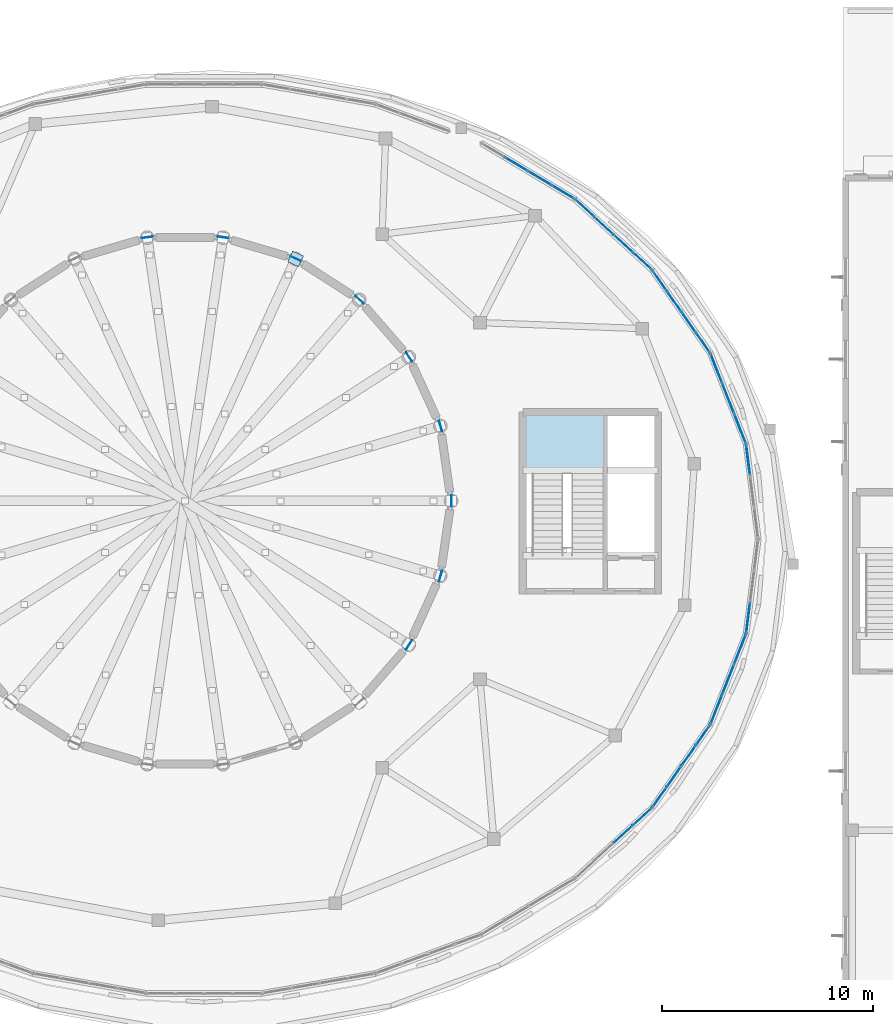
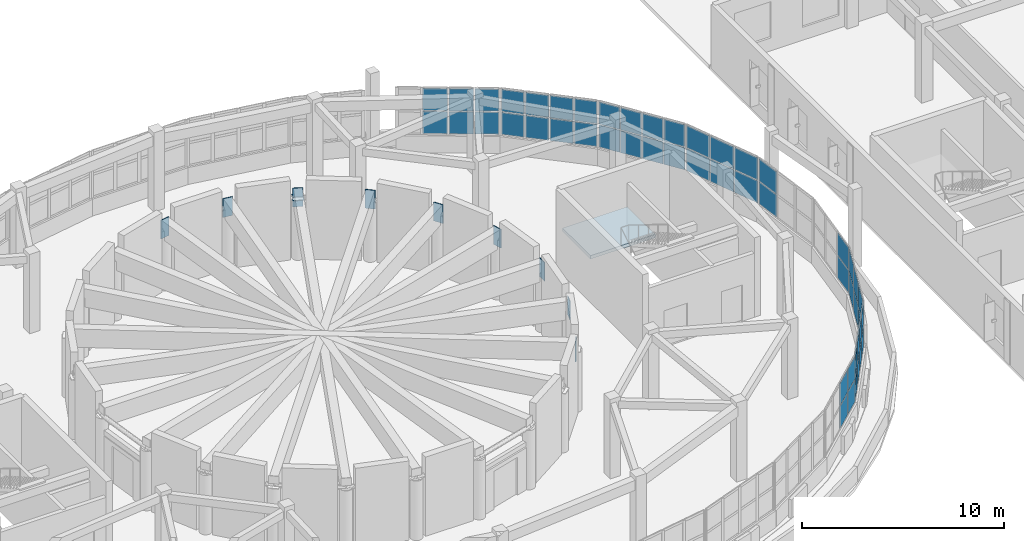
# One storey, part 48 of 69: 60 plates, 1 slab, 10 elements without a shape of their own.
"""IFC4 building model written with IfcOpenShell, lengths in metres."""

from ifc_helpers import new_model, si_unit, direction, frame, origin, origin_2d, place, context, subcontext, project, spatial, polyline, rectangle, outline, extrude, material, layer, layer_set, type_object, element, aggregate, save


model = new_model("IFC4")

# Units and contexts
model_context = context("Model", 3, precision=1e-05, world=origin(), true_north=direction((0.0, 1.0)))
body_context = subcontext(model_context, "Body", "Model", "MODEL_VIEW")
ifc_project = project(units=[si_unit("LENGTHUNIT", "METRE"), si_unit("AREAUNIT", "SQUARE_METRE"), si_unit("VOLUMEUNIT", "CUBIC_METRE"), si_unit("PLANEANGLEUNIT", "RADIAN"), si_unit("MASSUNIT", "GRAM", prefix="KILO")], contexts=[model_context])

# Site, building, storey
site_placement = place(None, origin())
site = spatial("IfcSite", under=ifc_project, at=site_placement, CompositionType="ELEMENT")
building_placement = place(site_placement, origin())
building = spatial("IfcBuilding", under=site, at=building_placement, Name="Pelvatis Terrace Science Centre", CompositionType="ELEMENT")
storey_placement = place(building_placement, frame((0.0, 0.0, 15.0)))
storey = spatial("IfcBuildingStorey", under=building, at=storey_placement, Name="L03", CompositionType="ELEMENT", Elevation=15.0)

# Curtain wall, plates
ifc_material_1 = material(Name="Bronze-anodised aluminium and laminated glass", Category="aluminium")
ifc_layer_1 = layer(ifc_material_1, 0.179931640625)
ifc_layer_set_1 = layer_set([ifc_layer_1], Name="Bronze-anodised aluminium and laminated glass")
curtain_wall_type = type_object("IfcCurtainWallType", Name="CW-RIBBON-A", PredefinedType="NOTDEFINED", material=ifc_layer_set_1)
curtain_wall_1_placement = place(storey_placement, origin())
curtain_wall_1 = element("IfcCurtainWall", 1, at=curtain_wall_1_placement, inside=storey, type_object=curtain_wall_type, Name="Ribbon curtain wall CW-183 (L03)", PredefinedType="NOTDEFINED")
ifc_material_2 = material(Name="Low-e laminated solar-control double glazing", Category="glass")
ifc_layer_2 = layer(ifc_material_2, 0.035888671875)
ifc_layer_set_2 = layer_set([ifc_layer_2], Name="Low-e laminated solar-control double glazing")
plate_type_1 = type_object("IfcPlateType", Name="CWP-IGU-36", PredefinedType="CURTAIN_PANEL", material=ifc_layer_set_2)
plate_1_placement = place(storey_placement, frame((135.873779296875, 87.736083984375, 1.080078125), z_axis=(0.0, 0.0, 1.0), x_axis=(-0.126407659563, 0.991978378597, 0.0)))
plate_1 = element("IfcPlate", 2, at=plate_1_placement, type_object=plate_type_1, Name="CW-183 panel 3.1", PredefinedType="CURTAIN_PANEL", context=body_context, shape_type="SweptSolid", body=[
    extrude(rectangle(XDim=1.422607421875, YDim=0.035888671875, at=origin_2d()), origin(), (0.0, 0.0, 1.0), 1.3349609375),
])
plate_2_placement = place(storey_placement, frame((135.873779296875, 87.736083984375, 2.47509765625), z_axis=(0.0, 0.0, 1.0), x_axis=(-0.126407659563, 0.991978378597, 0.0)))
plate_2 = element("IfcPlate", 3, at=plate_2_placement, type_object=plate_type_1, Name="CW-183 panel 3.2", PredefinedType="CURTAIN_PANEL", context=body_context, shape_type="SweptSolid", body=[
    extrude(rectangle(XDim=1.422607421875, YDim=0.035888671875, at=origin_2d()), origin(), (0.0, 0.0, 1.0), 1.3349609375),
])
aggregate(curtain_wall_1, [plate_1, plate_2])

curtain_wall_2_placement = place(storey_placement, origin())
curtain_wall_2 = element("IfcCurtainWall", 4, at=curtain_wall_2_placement, inside=storey, type_object=curtain_wall_type, Name="Ribbon curtain wall CW-184 (L03)", PredefinedType="NOTDEFINED")
plate_3_placement = place(storey_placement, frame((135.48828125, 89.232666015625, 1.080078125), z_axis=(0.0, 0.0, 1.0), x_axis=(-0.366540961248, 0.930401915157, 0.0)))
plate_3 = element("IfcPlate", 5, at=plate_3_placement, type_object=plate_type_1, Name="CW-184 panel 1.1", PredefinedType="CURTAIN_PANEL", context=body_context, shape_type="SweptSolid", body=[
    extrude(rectangle(XDim=1.4521484375, YDim=0.035888671875, at=origin_2d()), origin(), (0.0, 0.0, 1.0), 1.3349609375),
])
plate_4_placement = place(storey_placement, frame((135.48828125, 89.232666015625, 2.47509765625), z_axis=(0.0, 0.0, 1.0), x_axis=(-0.366540961248, 0.930401915157, 0.0)))
plate_4 = element("IfcPlate", 6, at=plate_4_placement, type_object=plate_type_1, Name="CW-184 panel 1.2", PredefinedType="CURTAIN_PANEL", context=body_context, shape_type="SweptSolid", body=[
    extrude(rectangle(XDim=1.4521484375, YDim=0.035888671875, at=origin_2d()), origin(), (0.0, 0.0, 1.0), 1.3349609375),
])
plate_5_placement = place(storey_placement, frame((134.928466796875, 90.653564453125, 1.080078125), z_axis=(0.0, 0.0, 1.0), x_axis=(-0.366540961248, 0.930401915157, 0.0)))
plate_5 = element("IfcPlate", 7, at=plate_5_placement, type_object=plate_type_1, Name="CW-184 panel 2.1", PredefinedType="CURTAIN_PANEL", context=body_context, shape_type="SweptSolid", body=[
    extrude(rectangle(XDim=1.482177734375, YDim=0.035888671875, at=origin_2d()), origin(), (0.0, 0.0, 1.0), 1.3349609375),
])
plate_6_placement = place(storey_placement, frame((134.928466796875, 90.653564453125, 2.47509765625), z_axis=(0.0, 0.0, 1.0), x_axis=(-0.366540961248, 0.930401915157, 0.0)))
plate_6 = element("IfcPlate", 8, at=plate_6_placement, type_object=plate_type_1, Name="CW-184 panel 2.2", PredefinedType="CURTAIN_PANEL", context=body_context, shape_type="SweptSolid", body=[
    extrude(rectangle(XDim=1.482177734375, YDim=0.035888671875, at=origin_2d()), origin(), (0.0, 0.0, 1.0), 1.3349609375),
])
plate_7_placement = place(storey_placement, frame((134.36865234375, 92.074462890625, 1.080078125), z_axis=(0.0, 0.0, 1.0), x_axis=(-0.366540961248, 0.930401915157, 0.0)))
plate_7 = element("IfcPlate", 9, at=plate_7_placement, type_object=plate_type_1, Name="CW-184 panel 3.1", PredefinedType="CURTAIN_PANEL", context=body_context, shape_type="SweptSolid", body=[
    extrude(rectangle(XDim=1.4521484375, YDim=0.035888671875, at=origin_2d()), origin(), (0.0, 0.0, 1.0), 1.3349609375),
])
plate_8_placement = place(storey_placement, frame((134.36865234375, 92.074462890625, 2.47509765625), z_axis=(0.0, 0.0, 1.0), x_axis=(-0.366540961248, 0.930401915157, 0.0)))
plate_8 = element("IfcPlate", 10, at=plate_8_placement, type_object=plate_type_1, Name="CW-184 panel 3.2", PredefinedType="CURTAIN_PANEL", context=body_context, shape_type="SweptSolid", body=[
    extrude(rectangle(XDim=1.4521484375, YDim=0.035888671875, at=origin_2d()), origin(), (0.0, 0.0, 1.0), 1.3349609375),
])
aggregate(curtain_wall_2, [plate_3, plate_4, plate_5, plate_6, plate_7, plate_8])

curtain_wall_3_placement = place(storey_placement, origin())
curtain_wall_3 = element("IfcCurtainWall", 11, at=curtain_wall_3_placement, inside=storey, type_object=curtain_wall_type, Name="Ribbon curtain wall CW-185 (L03)", PredefinedType="NOTDEFINED")
plate_9_placement = place(storey_placement, frame((133.72900390625, 93.30810546875, 1.080078125), z_axis=(0.0, 0.0, 1.0), x_axis=(-0.573467955021, 0.81922799303, 0.0)))
plate_9 = element("IfcPlate", 12, at=plate_9_placement, type_object=plate_type_1, Name="CW-185 panel 1.1", PredefinedType="CURTAIN_PANEL", context=body_context, shape_type="SweptSolid", body=[
    extrude(rectangle(XDim=1.106201171875, YDim=0.035888671875, at=origin_2d()), origin(), (0.0, 0.0, 1.0), 1.3349609375),
])
plate_10_placement = place(storey_placement, frame((133.72900390625, 93.30810546875, 2.47509765625), z_axis=(0.0, 0.0, 1.0), x_axis=(-0.573467955021, 0.81922799303, 0.0)))
plate_10 = element("IfcPlate", 13, at=plate_10_placement, type_object=plate_type_1, Name="CW-185 panel 1.2", PredefinedType="CURTAIN_PANEL", context=body_context, shape_type="SweptSolid", body=[
    extrude(rectangle(XDim=1.106201171875, YDim=0.035888671875, at=origin_2d()), origin(), (0.0, 0.0, 1.0), 1.3349609375),
])
plate_11_placement = place(storey_placement, frame((133.0517578125, 94.275634765625, 1.080078125), z_axis=(0.0, 0.0, 1.0), x_axis=(-0.573467955021, 0.81922799303, 0.0)))
plate_11 = element("IfcPlate", 14, at=plate_11_placement, type_object=plate_type_1, Name="CW-185 panel 2.1", PredefinedType="CURTAIN_PANEL", context=body_context, shape_type="SweptSolid", body=[
    extrude(rectangle(XDim=1.13623046875, YDim=0.035888671875, at=origin_2d()), origin(), (0.0, 0.0, 1.0), 1.3349609375),
])
plate_12_placement = place(storey_placement, frame((133.0517578125, 94.275634765625, 2.47509765625), z_axis=(0.0, 0.0, 1.0), x_axis=(-0.573467955021, 0.81922799303, 0.0)))
plate_12 = element("IfcPlate", 15, at=plate_12_placement, type_object=plate_type_1, Name="CW-185 panel 2.2", PredefinedType="CURTAIN_PANEL", context=body_context, shape_type="SweptSolid", body=[
    extrude(rectangle(XDim=1.13623046875, YDim=0.035888671875, at=origin_2d()), origin(), (0.0, 0.0, 1.0), 1.3349609375),
])
plate_13_placement = place(storey_placement, frame((132.36572265625, 95.255615234375, 1.080078125), z_axis=(0.0, 0.0, 1.0), x_axis=(-0.573467955021, 0.81922799303, 0.0)))
plate_13 = element("IfcPlate", 16, at=plate_13_placement, type_object=plate_type_1, Name="CW-185 panel 3.1", PredefinedType="CURTAIN_PANEL", context=body_context, shape_type="SweptSolid", body=[
    extrude(rectangle(XDim=1.13623046875, YDim=0.035888671875, at=origin_2d()), origin(), (0.0, 0.0, 1.0), 1.3349609375),
])
plate_14_placement = place(storey_placement, frame((132.36572265625, 95.255615234375, 2.47509765625), z_axis=(0.0, 0.0, 1.0), x_axis=(-0.573467955021, 0.81922799303, 0.0)))
plate_14 = element("IfcPlate", 17, at=plate_14_placement, type_object=plate_type_1, Name="CW-185 panel 3.2", PredefinedType="CURTAIN_PANEL", context=body_context, shape_type="SweptSolid", body=[
    extrude(rectangle(XDim=1.13623046875, YDim=0.035888671875, at=origin_2d()), origin(), (0.0, 0.0, 1.0), 1.3349609375),
])
plate_15_placement = place(storey_placement, frame((131.688232421875, 96.223388671875, 1.080078125), z_axis=(0.0, 0.0, 1.0), x_axis=(-0.573467955021, 0.81922799303, 0.0)))
plate_15 = element("IfcPlate", 18, at=plate_15_placement, type_object=plate_type_1, Name="CW-185 panel 4.1", PredefinedType="CURTAIN_PANEL", context=body_context, shape_type="SweptSolid", body=[
    extrude(rectangle(XDim=1.106201171875, YDim=0.035888671875, at=origin_2d()), origin(), (0.0, 0.0, 1.0), 1.3349609375),
])
plate_16_placement = place(storey_placement, frame((131.688232421875, 96.223388671875, 2.47509765625), z_axis=(0.0, 0.0, 1.0), x_axis=(-0.573467955021, 0.81922799303, 0.0)))
plate_16 = element("IfcPlate", 19, at=plate_16_placement, type_object=plate_type_1, Name="CW-185 panel 4.2", PredefinedType="CURTAIN_PANEL", context=body_context, shape_type="SweptSolid", body=[
    extrude(rectangle(XDim=1.106201171875, YDim=0.035888671875, at=origin_2d()), origin(), (0.0, 0.0, 1.0), 1.3349609375),
])
aggregate(curtain_wall_3, [plate_9, plate_10, plate_11, plate_12, plate_13, plate_14, plate_15, plate_16])

curtain_wall_4_placement = place(storey_placement, origin())
curtain_wall_4 = element("IfcCurtainWall", 20, at=curtain_wall_4_placement, inside=storey, type_object=curtain_wall_type, Name="Ribbon curtain wall CW-186 (L03)", PredefinedType="NOTDEFINED")
plate_17_placement = place(storey_placement, frame((130.86669921875, 97.15625, 1.080078125), z_axis=(0.0, 0.0, 1.0), x_axis=(-0.737404165127, 0.675451772708, 0.0)))
plate_17 = element("IfcPlate", 21, at=plate_17_placement, type_object=plate_type_1, Name="CW-186 panel 1.1", PredefinedType="CURTAIN_PANEL", context=body_context, shape_type="SweptSolid", body=[
    extrude(rectangle(XDim=1.155029296875, YDim=0.035888671875, at=origin_2d()), origin(), (0.0, 0.0, 1.0), 1.3349609375),
])
plate_18_placement = place(storey_placement, frame((130.86669921875, 97.15625, 2.47509765625), z_axis=(0.0, 0.0, 1.0), x_axis=(-0.737404165127, 0.675451772708, 0.0)))
plate_18 = element("IfcPlate", 22, at=plate_18_placement, type_object=plate_type_1, Name="CW-186 panel 1.2", PredefinedType="CURTAIN_PANEL", context=body_context, shape_type="SweptSolid", body=[
    extrude(rectangle(XDim=1.155029296875, YDim=0.035888671875, at=origin_2d()), origin(), (0.0, 0.0, 1.0), 1.3349609375),
])
plate_19_placement = place(storey_placement, frame((129.959716796875, 97.98681640625, 1.080078125), z_axis=(0.0, 0.0, 1.0), x_axis=(-0.737404165127, 0.675451772708, 0.0)))
plate_19 = element("IfcPlate", 23, at=plate_19_placement, type_object=plate_type_1, Name="CW-186 panel 2.1", PredefinedType="CURTAIN_PANEL", context=body_context, shape_type="SweptSolid", body=[
    extrude(rectangle(XDim=1.184814453125, YDim=0.035888671875, at=origin_2d()), origin(), (0.0, 0.0, 1.0), 1.3349609375),
])
plate_20_placement = place(storey_placement, frame((129.959716796875, 97.98681640625, 2.47509765625), z_axis=(0.0, 0.0, 1.0), x_axis=(-0.737404165127, 0.675451772708, 0.0)))
plate_20 = element("IfcPlate", 24, at=plate_20_placement, type_object=plate_type_1, Name="CW-186 panel 2.2", PredefinedType="CURTAIN_PANEL", context=body_context, shape_type="SweptSolid", body=[
    extrude(rectangle(XDim=1.184814453125, YDim=0.035888671875, at=origin_2d()), origin(), (0.0, 0.0, 1.0), 1.3349609375),
])
plate_21_placement = place(storey_placement, frame((129.041748046875, 98.827880859375, 1.080078125), z_axis=(0.0, 0.0, 1.0), x_axis=(-0.737404165127, 0.675451772708, 0.0)))
plate_21 = element("IfcPlate", 25, at=plate_21_placement, type_object=plate_type_1, Name="CW-186 panel 3.1", PredefinedType="CURTAIN_PANEL", context=body_context, shape_type="SweptSolid", body=[
    extrude(rectangle(XDim=1.184814453125, YDim=0.035888671875, at=origin_2d()), origin(), (0.0, 0.0, 1.0), 1.3349609375),
])
plate_22_placement = place(storey_placement, frame((129.041748046875, 98.827880859375, 2.47509765625), z_axis=(0.0, 0.0, 1.0), x_axis=(-0.737404165127, 0.675451772708, 0.0)))
plate_22 = element("IfcPlate", 26, at=plate_22_placement, type_object=plate_type_1, Name="CW-186 panel 3.2", PredefinedType="CURTAIN_PANEL", context=body_context, shape_type="SweptSolid", body=[
    extrude(rectangle(XDim=1.184814453125, YDim=0.035888671875, at=origin_2d()), origin(), (0.0, 0.0, 1.0), 1.3349609375),
])
plate_23_placement = place(storey_placement, frame((128.134765625, 99.658447265625, 1.080078125), z_axis=(0.0, 0.0, 1.0), x_axis=(-0.737404165127, 0.675451772708, 0.0)))
plate_23 = element("IfcPlate", 27, at=plate_23_placement, type_object=plate_type_1, Name="CW-186 panel 4.1", PredefinedType="CURTAIN_PANEL", context=body_context, shape_type="SweptSolid", body=[
    extrude(rectangle(XDim=1.155029296875, YDim=0.035888671875, at=origin_2d()), origin(), (0.0, 0.0, 1.0), 1.3349609375),
])
plate_24_placement = place(storey_placement, frame((128.134765625, 99.658447265625, 2.47509765625), z_axis=(0.0, 0.0, 1.0), x_axis=(-0.737404165127, 0.675451772708, 0.0)))
plate_24 = element("IfcPlate", 28, at=plate_24_placement, type_object=plate_type_1, Name="CW-186 panel 4.2", PredefinedType="CURTAIN_PANEL", context=body_context, shape_type="SweptSolid", body=[
    extrude(rectangle(XDim=1.155029296875, YDim=0.035888671875, at=origin_2d()), origin(), (0.0, 0.0, 1.0), 1.3349609375),
])
aggregate(curtain_wall_4, [plate_17, plate_18, plate_19, plate_20, plate_21, plate_22, plate_23, plate_24])

curtain_wall_5_placement = place(storey_placement, origin())
curtain_wall_5 = element("IfcCurtainWall", 29, at=curtain_wall_5_placement, inside=storey, type_object=curtain_wall_type, Name="Ribbon curtain wall CW-187 (L03)", PredefinedType="NOTDEFINED")
plate_25_placement = place(storey_placement, frame((127.096923828125, 100.429443359375, 1.080078125), z_axis=(0.0, 0.0, 1.0), x_axis=(-0.857792823096, 0.51399559594, 0.0)))
plate_25 = element("IfcPlate", 30, at=plate_25_placement, type_object=plate_type_1, Name="CW-187 panel 1.1", PredefinedType="CURTAIN_PANEL", context=body_context, shape_type="SweptSolid", body=[
    extrude(rectangle(XDim=1.203857421875, YDim=0.035888671875, at=origin_2d()), origin(), (0.0, 0.0, 1.0), 1.3349609375),
])
plate_26_placement = place(storey_placement, frame((127.096923828125, 100.429443359375, 2.47509765625), z_axis=(0.0, 0.0, 1.0), x_axis=(-0.857792823096, 0.51399559594, 0.0)))
plate_26 = element("IfcPlate", 31, at=plate_26_placement, type_object=plate_type_1, Name="CW-187 panel 1.2", PredefinedType="CURTAIN_PANEL", context=body_context, shape_type="SweptSolid", body=[
    extrude(rectangle(XDim=1.203857421875, YDim=0.035888671875, at=origin_2d()), origin(), (0.0, 0.0, 1.0), 1.3349609375),
])
plate_27_placement = place(storey_placement, frame((125.999755859375, 101.086669921875, 1.080078125), z_axis=(0.0, 0.0, 1.0), x_axis=(-0.857792823096, 0.51399559594, 0.0)))
plate_27 = element("IfcPlate", 32, at=plate_27_placement, type_object=plate_type_1, Name="CW-187 panel 2.1", PredefinedType="CURTAIN_PANEL", context=body_context, shape_type="SweptSolid", body=[
    extrude(rectangle(XDim=1.23388671875, YDim=0.035888671875, at=origin_2d()), origin(), (0.0, 0.0, 1.0), 1.3349609375),
])
plate_28_placement = place(storey_placement, frame((125.999755859375, 101.086669921875, 2.47509765625), z_axis=(0.0, 0.0, 1.0), x_axis=(-0.857792823096, 0.51399559594, 0.0)))
plate_28 = element("IfcPlate", 33, at=plate_28_placement, type_object=plate_type_1, Name="CW-187 panel 2.2", PredefinedType="CURTAIN_PANEL", context=body_context, shape_type="SweptSolid", body=[
    extrude(rectangle(XDim=1.23388671875, YDim=0.035888671875, at=origin_2d()), origin(), (0.0, 0.0, 1.0), 1.3349609375),
])
plate_29_placement = place(storey_placement, frame((124.889892578125, 101.751708984375, 1.080078125), z_axis=(0.0, 0.0, 1.0), x_axis=(-0.857792823096, 0.51399559594, 0.0)))
plate_29 = element("IfcPlate", 34, at=plate_29_placement, type_object=plate_type_1, Name="CW-187 panel 3.1", PredefinedType="CURTAIN_PANEL", context=body_context, shape_type="SweptSolid", body=[
    extrude(rectangle(XDim=1.23388671875, YDim=0.035888671875, at=origin_2d()), origin(), (0.0, 0.0, 1.0), 1.3349609375),
])
plate_30_placement = place(storey_placement, frame((124.889892578125, 101.751708984375, 2.47509765625), z_axis=(0.0, 0.0, 1.0), x_axis=(-0.857792823096, 0.51399559594, 0.0)))
plate_30 = element("IfcPlate", 35, at=plate_30_placement, type_object=plate_type_1, Name="CW-187 panel 3.2", PredefinedType="CURTAIN_PANEL", context=body_context, shape_type="SweptSolid", body=[
    extrude(rectangle(XDim=1.23388671875, YDim=0.035888671875, at=origin_2d()), origin(), (0.0, 0.0, 1.0), 1.3349609375),
])
aggregate(curtain_wall_5, [plate_25, plate_26, plate_27, plate_28, plate_29, plate_30])

curtain_wall_6_placement = place(storey_placement, origin())
curtain_wall_6 = element("IfcCurtainWall", 36, at=curtain_wall_6_placement, inside=storey, type_object=curtain_wall_type, Name="Ribbon curtain wall CW-209 (L03)", PredefinedType="NOTDEFINED")
plate_31_placement = place(storey_placement, frame((129.959716796875, 70.01318359375, 1.080078125), z_axis=(0.0, 0.0, 1.0), x_axis=(0.737404165127, 0.675451772708, 0.0)))
plate_31 = element("IfcPlate", 37, at=plate_31_placement, type_object=plate_type_1, Name="CW-209 panel 3.1", PredefinedType="CURTAIN_PANEL", context=body_context, shape_type="SweptSolid", body=[
    extrude(rectangle(XDim=1.184814453125, YDim=0.035888671875, at=origin_2d()), origin(), (0.0, 0.0, 1.0), 1.3349609375),
])
plate_32_placement = place(storey_placement, frame((129.959716796875, 70.01318359375, 2.47509765625), z_axis=(0.0, 0.0, 1.0), x_axis=(0.737404165127, 0.675451772708, 0.0)))
plate_32 = element("IfcPlate", 38, at=plate_32_placement, type_object=plate_type_1, Name="CW-209 panel 3.2", PredefinedType="CURTAIN_PANEL", context=body_context, shape_type="SweptSolid", body=[
    extrude(rectangle(XDim=1.184814453125, YDim=0.035888671875, at=origin_2d()), origin(), (0.0, 0.0, 1.0), 1.3349609375),
])
plate_33_placement = place(storey_placement, frame((130.86669921875, 70.84375, 1.080078125), z_axis=(0.0, 0.0, 1.0), x_axis=(0.737404165127, 0.675451772708, 0.0)))
plate_33 = element("IfcPlate", 39, at=plate_33_placement, type_object=plate_type_1, Name="CW-209 panel 4.1", PredefinedType="CURTAIN_PANEL", context=body_context, shape_type="SweptSolid", body=[
    extrude(rectangle(XDim=1.155029296875, YDim=0.035888671875, at=origin_2d()), origin(), (0.0, 0.0, 1.0), 1.3349609375),
])
plate_34_placement = place(storey_placement, frame((130.86669921875, 70.84375, 2.47509765625), z_axis=(0.0, 0.0, 1.0), x_axis=(0.737404165127, 0.675451772708, 0.0)))
plate_34 = element("IfcPlate", 40, at=plate_34_placement, type_object=plate_type_1, Name="CW-209 panel 4.2", PredefinedType="CURTAIN_PANEL", context=body_context, shape_type="SweptSolid", body=[
    extrude(rectangle(XDim=1.155029296875, YDim=0.035888671875, at=origin_2d()), origin(), (0.0, 0.0, 1.0), 1.3349609375),
])
aggregate(curtain_wall_6, [plate_31, plate_32, plate_33, plate_34])

curtain_wall_7_placement = place(storey_placement, origin())
curtain_wall_7 = element("IfcCurtainWall", 41, at=curtain_wall_7_placement, inside=storey, type_object=curtain_wall_type, Name="Ribbon curtain wall CW-210 (L03)", PredefinedType="NOTDEFINED")
plate_35_placement = place(storey_placement, frame((131.688232421875, 71.776611328125, 1.080078125), z_axis=(0.0, 0.0, 1.0), x_axis=(0.573467955021, 0.81922799303, 0.0)))
plate_35 = element("IfcPlate", 42, at=plate_35_placement, type_object=plate_type_1, Name="CW-210 panel 1.1", PredefinedType="CURTAIN_PANEL", context=body_context, shape_type="SweptSolid", body=[
    extrude(rectangle(XDim=1.106201171875, YDim=0.035888671875, at=origin_2d()), origin(), (0.0, 0.0, 1.0), 1.3349609375),
])
plate_36_placement = place(storey_placement, frame((131.688232421875, 71.776611328125, 2.47509765625), z_axis=(0.0, 0.0, 1.0), x_axis=(0.573467955021, 0.81922799303, 0.0)))
plate_36 = element("IfcPlate", 43, at=plate_36_placement, type_object=plate_type_1, Name="CW-210 panel 1.2", PredefinedType="CURTAIN_PANEL", context=body_context, shape_type="SweptSolid", body=[
    extrude(rectangle(XDim=1.106201171875, YDim=0.035888671875, at=origin_2d()), origin(), (0.0, 0.0, 1.0), 1.3349609375),
])
plate_37_placement = place(storey_placement, frame((132.36572265625, 72.744384765625, 1.080078125), z_axis=(0.0, 0.0, 1.0), x_axis=(0.573467955021, 0.81922799303, 0.0)))
plate_37 = element("IfcPlate", 44, at=plate_37_placement, type_object=plate_type_1, Name="CW-210 panel 2.1", PredefinedType="CURTAIN_PANEL", context=body_context, shape_type="SweptSolid", body=[
    extrude(rectangle(XDim=1.13623046875, YDim=0.035888671875, at=origin_2d()), origin(), (0.0, 0.0, 1.0), 1.3349609375),
])
plate_38_placement = place(storey_placement, frame((132.36572265625, 72.744384765625, 2.47509765625), z_axis=(0.0, 0.0, 1.0), x_axis=(0.573467955021, 0.81922799303, 0.0)))
plate_38 = element("IfcPlate", 45, at=plate_38_placement, type_object=plate_type_1, Name="CW-210 panel 2.2", PredefinedType="CURTAIN_PANEL", context=body_context, shape_type="SweptSolid", body=[
    extrude(rectangle(XDim=1.13623046875, YDim=0.035888671875, at=origin_2d()), origin(), (0.0, 0.0, 1.0), 1.3349609375),
])
plate_39_placement = place(storey_placement, frame((133.0517578125, 73.724365234375, 1.080078125), z_axis=(0.0, 0.0, 1.0), x_axis=(0.573467955021, 0.81922799303, 0.0)))
plate_39 = element("IfcPlate", 46, at=plate_39_placement, type_object=plate_type_1, Name="CW-210 panel 3.1", PredefinedType="CURTAIN_PANEL", context=body_context, shape_type="SweptSolid", body=[
    extrude(rectangle(XDim=1.13623046875, YDim=0.035888671875, at=origin_2d()), origin(), (0.0, 0.0, 1.0), 1.3349609375),
])
plate_40_placement = place(storey_placement, frame((133.0517578125, 73.724365234375, 2.47509765625), z_axis=(0.0, 0.0, 1.0), x_axis=(0.573467955021, 0.81922799303, 0.0)))
plate_40 = element("IfcPlate", 47, at=plate_40_placement, type_object=plate_type_1, Name="CW-210 panel 3.2", PredefinedType="CURTAIN_PANEL", context=body_context, shape_type="SweptSolid", body=[
    extrude(rectangle(XDim=1.13623046875, YDim=0.035888671875, at=origin_2d()), origin(), (0.0, 0.0, 1.0), 1.3349609375),
])
plate_41_placement = place(storey_placement, frame((133.72900390625, 74.69189453125, 1.080078125), z_axis=(0.0, 0.0, 1.0), x_axis=(0.573467955021, 0.81922799303, 0.0)))
plate_41 = element("IfcPlate", 48, at=plate_41_placement, type_object=plate_type_1, Name="CW-210 panel 4.1", PredefinedType="CURTAIN_PANEL", context=body_context, shape_type="SweptSolid", body=[
    extrude(rectangle(XDim=1.106201171875, YDim=0.035888671875, at=origin_2d()), origin(), (0.0, 0.0, 1.0), 1.3349609375),
])
plate_42_placement = place(storey_placement, frame((133.72900390625, 74.69189453125, 2.47509765625), z_axis=(0.0, 0.0, 1.0), x_axis=(0.573467955021, 0.81922799303, 0.0)))
plate_42 = element("IfcPlate", 49, at=plate_42_placement, type_object=plate_type_1, Name="CW-210 panel 4.2", PredefinedType="CURTAIN_PANEL", context=body_context, shape_type="SweptSolid", body=[
    extrude(rectangle(XDim=1.106201171875, YDim=0.035888671875, at=origin_2d()), origin(), (0.0, 0.0, 1.0), 1.3349609375),
])
aggregate(curtain_wall_7, [plate_35, plate_36, plate_37, plate_38, plate_39, plate_40, plate_41, plate_42])

curtain_wall_8_placement = place(storey_placement, origin())
curtain_wall_8 = element("IfcCurtainWall", 50, at=curtain_wall_8_placement, inside=storey, type_object=curtain_wall_type, Name="Ribbon curtain wall CW-211 (L03)", PredefinedType="NOTDEFINED")
plate_43_placement = place(storey_placement, frame((134.36865234375, 75.925537109375, 1.080078125), z_axis=(0.0, 0.0, 1.0), x_axis=(0.366540961248, 0.930401915157, 0.0)))
plate_43 = element("IfcPlate", 51, at=plate_43_placement, type_object=plate_type_1, Name="CW-211 panel 1.1", PredefinedType="CURTAIN_PANEL", context=body_context, shape_type="SweptSolid", body=[
    extrude(rectangle(XDim=1.4521484375, YDim=0.035888671875, at=origin_2d()), origin(), (0.0, 0.0, 1.0), 1.3349609375),
])
plate_44_placement = place(storey_placement, frame((134.36865234375, 75.925537109375, 2.47509765625), z_axis=(0.0, 0.0, 1.0), x_axis=(0.366540961248, 0.930401915157, 0.0)))
plate_44 = element("IfcPlate", 52, at=plate_44_placement, type_object=plate_type_1, Name="CW-211 panel 1.2", PredefinedType="CURTAIN_PANEL", context=body_context, shape_type="SweptSolid", body=[
    extrude(rectangle(XDim=1.4521484375, YDim=0.035888671875, at=origin_2d()), origin(), (0.0, 0.0, 1.0), 1.3349609375),
])
plate_45_placement = place(storey_placement, frame((134.928466796875, 77.346435546875, 1.080078125), z_axis=(0.0, 0.0, 1.0), x_axis=(0.366540961248, 0.930401915157, 0.0)))
plate_45 = element("IfcPlate", 53, at=plate_45_placement, type_object=plate_type_1, Name="CW-211 panel 2.1", PredefinedType="CURTAIN_PANEL", context=body_context, shape_type="SweptSolid", body=[
    extrude(rectangle(XDim=1.482177734375, YDim=0.035888671875, at=origin_2d()), origin(), (0.0, 0.0, 1.0), 1.3349609375),
])
plate_46_placement = place(storey_placement, frame((134.928466796875, 77.346435546875, 2.47509765625), z_axis=(0.0, 0.0, 1.0), x_axis=(0.366540961248, 0.930401915157, 0.0)))
plate_46 = element("IfcPlate", 54, at=plate_46_placement, type_object=plate_type_1, Name="CW-211 panel 2.2", PredefinedType="CURTAIN_PANEL", context=body_context, shape_type="SweptSolid", body=[
    extrude(rectangle(XDim=1.482177734375, YDim=0.035888671875, at=origin_2d()), origin(), (0.0, 0.0, 1.0), 1.3349609375),
])
plate_47_placement = place(storey_placement, frame((135.48828125, 78.767333984375, 1.080078125), z_axis=(0.0, 0.0, 1.0), x_axis=(0.366540961248, 0.930401915157, 0.0)))
plate_47 = element("IfcPlate", 55, at=plate_47_placement, type_object=plate_type_1, Name="CW-211 panel 3.1", PredefinedType="CURTAIN_PANEL", context=body_context, shape_type="SweptSolid", body=[
    extrude(rectangle(XDim=1.4521484375, YDim=0.035888671875, at=origin_2d()), origin(), (0.0, 0.0, 1.0), 1.3349609375),
])
plate_48_placement = place(storey_placement, frame((135.48828125, 78.767333984375, 2.47509765625), z_axis=(0.0, 0.0, 1.0), x_axis=(0.366540961248, 0.930401915157, 0.0)))
plate_48 = element("IfcPlate", 56, at=plate_48_placement, type_object=plate_type_1, Name="CW-211 panel 3.2", PredefinedType="CURTAIN_PANEL", context=body_context, shape_type="SweptSolid", body=[
    extrude(rectangle(XDim=1.4521484375, YDim=0.035888671875, at=origin_2d()), origin(), (0.0, 0.0, 1.0), 1.3349609375),
])
aggregate(curtain_wall_8, [plate_43, plate_44, plate_45, plate_46, plate_47, plate_48])

curtain_wall_9_placement = place(storey_placement, origin())
curtain_wall_9 = element("IfcCurtainWall", 57, at=curtain_wall_9_placement, inside=storey, type_object=curtain_wall_type, Name="Ribbon curtain wall CW-212 (L03)", PredefinedType="NOTDEFINED")
plate_49_placement = place(storey_placement, frame((135.873779296875, 80.263916015625, 1.080078125), z_axis=(0.0, 0.0, 1.0), x_axis=(0.126407659563, 0.991978378597, 0.0)))
plate_49 = element("IfcPlate", 58, at=plate_49_placement, type_object=plate_type_1, Name="CW-212 panel 1.1", PredefinedType="CURTAIN_PANEL", context=body_context, shape_type="SweptSolid", body=[
    extrude(rectangle(XDim=1.422607421875, YDim=0.035888671875, at=origin_2d()), origin(), (0.0, 0.0, 1.0), 1.3349609375),
])
plate_50_placement = place(storey_placement, frame((135.873779296875, 80.263916015625, 2.47509765625), z_axis=(0.0, 0.0, 1.0), x_axis=(0.126407659563, 0.991978378597, 0.0)))
plate_50 = element("IfcPlate", 59, at=plate_50_placement, type_object=plate_type_1, Name="CW-212 panel 1.2", PredefinedType="CURTAIN_PANEL", context=body_context, shape_type="SweptSolid", body=[
    extrude(rectangle(XDim=1.422607421875, YDim=0.035888671875, at=origin_2d()), origin(), (0.0, 0.0, 1.0), 1.3349609375),
])
aggregate(curtain_wall_9, [plate_49, plate_50])

# Plates
ifc_material_3 = material(Name="Structural steel S355", Category="steel")
ifc_layer_3 = layer(ifc_material_3, 0.030029296875)
ifc_layer_set_3 = layer_set([ifc_layer_3], Name="Structural steel S355")
plate_type_2 = type_object("IfcPlateType", Name="PLT-CAP-560x560x30", PredefinedType="USERDEFINED", material=ifc_layer_set_3)
plate_51_placement = place(storey_placement, frame((114.43408203125, 97.261474609375, 3.5849609375), z_axis=(0.0, 0.0, 1.0), x_axis=(0.415487175664, 0.909599036311, 0.0)))
element("IfcPlate", 60, at=plate_51_placement, inside=storey, type_object=plate_type_2, Name="Dome bearing cap plate 05", ObjectType="CAP PLATE", PredefinedType="USERDEFINED", context=body_context, shape_type="SweptSolid", body=[
    extrude(rectangle(XDim=0.56005859375, YDim=0.56005859375, at=origin_2d()), origin(), (0.0, 0.0, 1.0), 0.030029296875),
])
ifc_material_4 = material(Name="Structural steel S355", Category="steel")
ifc_layer_4 = layer(ifc_material_4, 1.139892578125)
ifc_layer_set_4 = layer_set([ifc_layer_4], Name="Structural steel S355")
plate_type_3 = type_object("IfcPlateType", Name="PLT-CAP-BOX1100", PredefinedType="USERDEFINED", material=ifc_layer_set_4)
for number, where, z_axis, x_axis, name in (
    (61, (121.81201171875, 85.800048828125, 3.0302734375), (0.0, 0.0, 1.0), (-1.0, 0.0, 0.0), "Hollow box girder end cap plate 015"),
    (62, (121.301025390625, 89.353271484375, 3.0302734375), (0.0, 0.0, 1.0), (-0.959510852267, -0.281671660596, 0.0), "Hollow box girder end cap plate 017"),
    (63, (119.809814453125, 92.61865234375, 3.0302734375), (0.0, 0.0, 1.0), (-0.841227797435, -0.540680860418, 0.0), "Hollow box girder end cap plate 019"),
    (64, (117.458984375, 95.33154296875, 3.0302734375), (0.0, 0.0, 1.0), (-0.654872725061, -0.755739183826, 0.0), "Hollow box girder end cap plate 021"),
    (65, (114.439208984375, 97.272216796875, 3.0302734375), (0.0, 0.0, 1.0), (-0.415487175664, -0.909599036311, 0.0), "Hollow box girder end cap plate 023"),
    (66, (110.994873046875, 98.28369140625, 3.0302734375), (0.0, 0.0, 1.0), (-0.142283427941, -0.989825957496, 0.0), "Hollow box girder end cap plate 025"),
    (67, (107.405029296875, 98.28369140625, 3.0302734375), (0.0, 0.0, 1.0), (0.142283427941, -0.989825957496, 0.0), "Hollow box girder end cap plate 027"),
    (68, (119.809814453125, 78.9814453125, 3.0302734375), (0.0, 0.0, 1.0), (0.841227797435, -0.540680860418, 0.0), "Hollow box girder end cap plate 034"),
    (69, (121.301025390625, 82.246826171875, 3.0302734375), (0.0, 0.0, 1.0), (0.959510852267, -0.281671660596, 0.0), "Hollow box girder end cap plate 036"),
):
    element("IfcPlate", number, at=place(storey_placement, frame(where, z_axis=z_axis, x_axis=x_axis)), inside=storey, type_object=plate_type_3, Name=name, ObjectType="CAP PLATE", PredefinedType="USERDEFINED", context=body_context, shape_type="SweptSolid", body=[
        extrude(rectangle(XDim=0.031982421875, YDim=0.52001953125, at=origin_2d()), origin(), (0.0, 0.0, 1.0), 1.139892578125),
    ])

# Stair, slab
ifc_material_5 = material(Name="Concrete C35/45", Category="concrete")
stair_type = type_object("IfcStairType", Name="STR-2RUN-1500-48", PredefinedType="TWO_STRAIGHT_RUN_STAIR", material=ifc_material_5)
stair_placement = place(storey_placement, origin())
stair = element("IfcStair", 70, at=stair_placement, inside=storey, type_object=stair_type, Name="Protected core stair ST-02-L03", PredefinedType="TWO_STRAIGHT_RUN_STAIR")
ifc_material_6 = material(Name="Concrete C35/45", Category="concrete")
ifc_layer_5 = layer(ifc_material_6, 0.199951171875)
ifc_layer_set_5 = layer_set([ifc_layer_5], Name="Concrete C35/45")
slab_type = type_object("IfcSlabType", Name="SLB-LND-200", PredefinedType="LANDING", material=ifc_layer_set_5)
slab_placement = place(storey_placement, frame((0.0, 0.0, 2.199951171875)))
slab = element("IfcSlab", 71, at=slab_placement, type_object=slab_type, Name="ST-02-L03 landing 1", PredefinedType="LANDING", context=body_context, shape_type="SweptSolid", body=[
    extrude(outline(polyline([(125.330078125, 87.10009765625), (129.050048828125, 87.10009765625), (129.050048828125, 89.8701171875), (125.330078125, 89.8701171875), (125.330078125, 87.10009765625)])), origin(), (0.0, 0.0, 1.0), 0.199951171875),
])
aggregate(stair, [slab])

save(model, "model.ifc")
